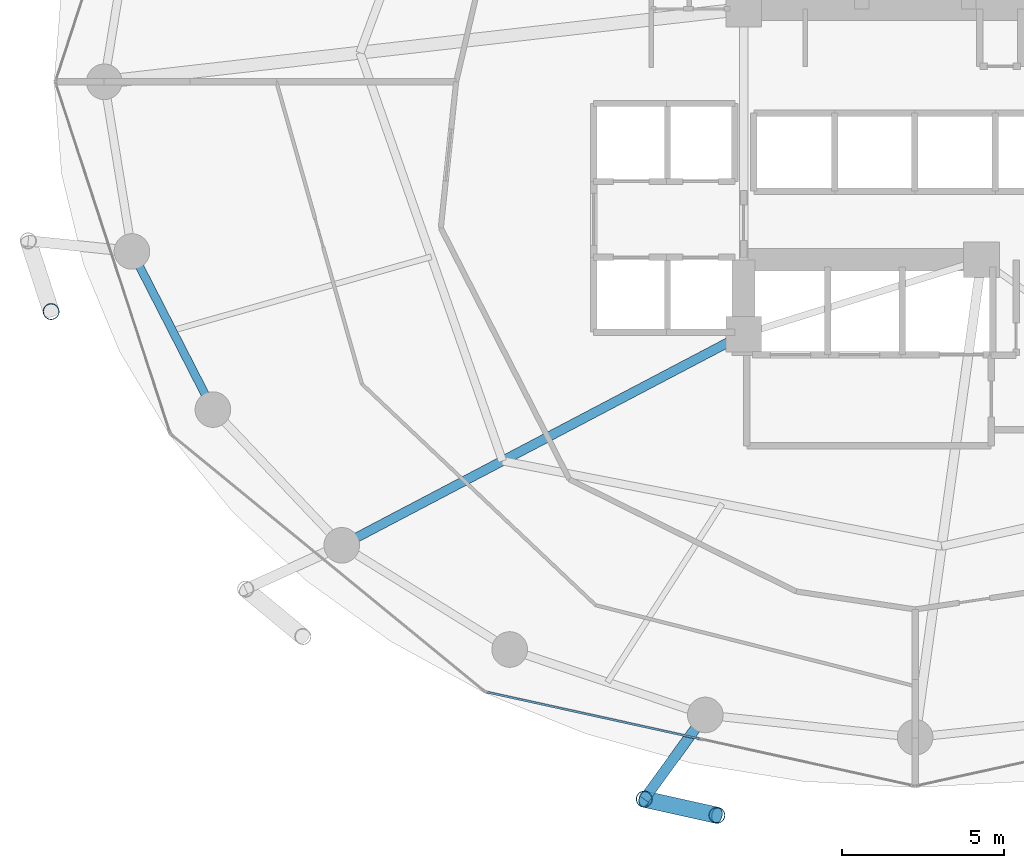
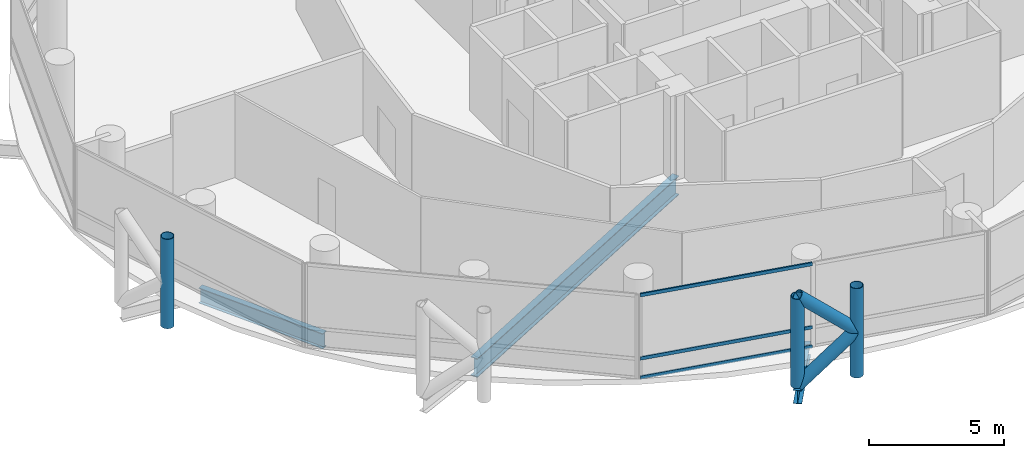
# One storey, part 3 of 24: 8 members, 3 beams, 1 element without a shape of its own.
"""IFC4 building model written with IfcOpenShell, lengths in metres."""

import ifcopenshell
import ifcopenshell.guid

model = None  # the IFC model being written
_history = None  # IfcOwnerHistory: only IFC2X3 demands one
_inside = {}  # id of a spatial element -> (the spatial element, [elements in it])
_under = {}  # id of a project, library or spatial element -> (it, [spatial elements below it])
_declared = {}  # id of a project -> (the project, [libraries it declares])
_typed = {}  # id of a type object -> (the type object, [elements of that type])
_made_of = {}  # id of a material, layer set ... -> (it, [elements and type objects made of it])


def new_model(schema):
    """Start an empty IFC model of exactly this schema.

    Asked for "IFC4X3", IfcOpenShell would pick the latest addendum, in which some entities
    have other attributes; the version numbers below select the first issue.
    IFC2X3 requires an IfcOwnerHistory on every rooted entity: one is made here for all.
    """
    global model, _history
    if schema == "IFC4X3":
        model = ifcopenshell.file(schema_version=(4, 3, 0, 0))
    else:
        model = ifcopenshell.file(schema=schema)
    _inside.clear()
    _under.clear()
    _declared.clear()
    _typed.clear()
    _made_of.clear()
    _history = None
    if model.schema == "IFC2X3":
        org = make("IfcOrganization", Name="unknown")
        user = make(
            "IfcPersonAndOrganization",
            ThePerson=make("IfcPerson", FamilyName="unknown"),
            TheOrganization=org,
        )
        app = make(
            "IfcApplication",
            ApplicationDeveloper=org,
            Version="unknown",
            ApplicationFullName="unknown",
            ApplicationIdentifier="unknown",
        )
        _history = make(
            "IfcOwnerHistory",
            OwningUser=user,
            OwningApplication=app,
            ChangeAction="ADDED",
            CreationDate=0,
        )
    return model


def make(cls, **values):
    """One entity of the class cls with the attributes given. An attribute that is None is left unset."""
    return model.create_entity(
        cls, **{name: value for name, value in values.items() if value is not None}
    )


def rooted(cls, **values):
    """An entity with a GlobalId (a new one), such as an element, a storey or a relation."""
    return make(cls, GlobalId=ifcopenshell.guid.new(), OwnerHistory=_history, **values)


def si_unit(unit_type, name, prefix=None):
    """IfcSIUnit, for example si_unit("LENGTHUNIT", "METRE", prefix="MILLI")."""
    return make("IfcSIUnit", UnitType=unit_type, Prefix=prefix, Name=name)


def assignment(units):
    """IfcUnitAssignment: the units of a project."""
    return None if units is None else make("IfcUnitAssignment", Units=units)


def point(xyz):
    """IfcCartesianPoint."""
    return None if xyz is None else make("IfcCartesianPoint", Coordinates=xyz)


def direction(xyz):
    """IfcDirection."""
    return None if xyz is None else make("IfcDirection", DirectionRatios=xyz)


def frame(location, z_axis=None, x_axis=None):
    """IfcAxis2Placement3D, a coordinate frame: its origin and axes. An axis left out is left unset."""
    return make(
        "IfcAxis2Placement3D",
        Location=point(location),
        Axis=direction(z_axis),
        RefDirection=direction(x_axis),
    )


def frame_2d(location, x_axis=None):
    """IfcAxis2Placement2D, a coordinate frame in the plane: its origin and x axis."""
    return make(
        "IfcAxis2Placement2D", Location=point(location), RefDirection=direction(x_axis)
    )


def origin():
    """The frame at (0, 0, 0) with its axes left unset."""
    return frame((0.0, 0.0, 0.0))


def origin_2d():
    """The frame at (0, 0) in the plane with its x axis left unset."""
    return frame_2d((0.0, 0.0))


def place(relative_to, where):
    """IfcLocalPlacement: puts the frame where relative to a parent placement (None: the world)."""
    return make(
        "IfcLocalPlacement", PlacementRelTo=relative_to, RelativePlacement=where
    )


def context(
    kind, dimensions, precision=None, world=None, true_north=None, identifier=None
):
    """IfcGeometricRepresentationContext, for example the 3D "Model" context."""
    return make(
        "IfcGeometricRepresentationContext",
        ContextIdentifier=identifier,
        ContextType=kind,
        CoordinateSpaceDimension=dimensions,
        Precision=precision,
        WorldCoordinateSystem=world,
        TrueNorth=true_north,
    )


def subcontext(parent, identifier, kind, view, scale=None):
    """IfcGeometricRepresentationSubContext, for example "Body" below "Model"."""
    return make(
        "IfcGeometricRepresentationSubContext",
        ContextIdentifier=identifier,
        ContextType=kind,
        ParentContext=parent,
        TargetScale=scale,
        TargetView=view,
    )


def project(units=None, contexts=None):
    """IfcProject with its units and contexts."""
    return rooted(
        "IfcProject",
        Name="project",
        RepresentationContexts=contexts,
        UnitsInContext=assignment(units),
    )


def spatial(cls, under=None, at=None, **own):
    """A site, building, storey or space (cls), placed at a placement, below another one or the project."""
    s = rooted(cls, ObjectPlacement=at, **own)
    if under is not None:
        _under.setdefault(under.id(), (under, []))[1].append(s)
    return s


def profile(cls, at=None, kind="AREA", **sizes):
    """A parametric profile (cls). Its sizes go by their IFC names, for example OverallWidth=200.0."""
    return make(cls, ProfileType=kind, Position=at, **sizes)


def hollow_rectangle(**sizes):
    """IfcRectangleHollowProfileDef."""
    return profile("IfcRectangleHollowProfileDef", **sizes)


def hollow_circle(**sizes):
    """IfcCircleHollowProfileDef."""
    return profile("IfcCircleHollowProfileDef", **sizes)


def i_section(**sizes):
    """IfcIShapeProfileDef."""
    return profile("IfcIShapeProfileDef", **sizes)


def extrude(swept, where, along, depth):
    """IfcExtrudedAreaSolid: the profile swept, set in the frame where, extruded along a direction by depth."""
    return make(
        "IfcExtrudedAreaSolid",
        SweptArea=swept,
        Position=where,
        ExtrudedDirection=direction(along),
        Depth=depth,
    )


def shape(context_of_items, identifier, shape_type, items):
    """IfcShapeRepresentation: the items that make up one representation, for example the "Body"."""
    return make(
        "IfcShapeRepresentation",
        ContextOfItems=context_of_items,
        RepresentationIdentifier=identifier,
        RepresentationType=shape_type,
        Items=items,
    )


def material(Name=None, Category=None):
    """IfcMaterial."""
    return make("IfcMaterial", Name=Name, Category=Category)


def layer(
    of_material, thickness, ventilated=None, Name=None, Category=None, Priority=None
):
    """IfcMaterialLayer: one layer of a wall or slab, of a material (None: an air gap)."""
    return make(
        "IfcMaterialLayer",
        Material=of_material,
        LayerThickness=thickness,
        IsVentilated=ventilated,
        Name=Name,
        Category=Category,
        Priority=Priority,
    )


def layer_set(layers, Name=None):
    """IfcMaterialLayerSet."""
    return make("IfcMaterialLayerSet", MaterialLayers=layers, LayerSetName=Name)


def material_profile(
    of_material, cross_section, Name=None, Category=None, Priority=None
):
    """IfcMaterialProfile: a cross section and its material."""
    return make(
        "IfcMaterialProfile",
        Name=Name,
        Material=of_material,
        Profile=cross_section,
        Priority=Priority,
        Category=Category,
    )


def profile_set(profiles, Name=None, composite=None):
    """IfcMaterialProfileSet."""
    return make(
        "IfcMaterialProfileSet",
        Name=Name,
        MaterialProfiles=profiles,
        CompositeProfile=composite,
    )


def made_of(thing, what):
    """Note that an element or type object is made of a material, layer set ...; save() writes the relation."""
    if what is not None:
        _made_of.setdefault(what.id(), (what, []))[1].append(thing)
    return thing


def type_object(cls, material=None, **own):
    """A type object (cls), such as IfcWallType, which elements share."""
    return made_of(rooted(cls, **own), material)


def element(
    cls,
    number,
    at=None,
    inside=None,
    cuts=None,
    type_object=None,
    material=None,
    context=None,
    identifier="Body",
    shape_type=None,
    held_by="IfcProductDefinitionShape",
    body=None,
    shapes=None,
    **own,
):
    """One element of the class cls, such as IfcWall. Its Tag is "e" and its number.

    at: its placement. inside: the storey or other place that contains it. cuts: it is an
    opening in that element (IfcRelVoidsElement). A single representation is given by context,
    identifier, shape_type and body (its items); several are given by shapes. held_by: the class
    of the entity that holds the representations. save() writes the other relations.
    """
    e = rooted(cls, Tag="e%d" % number, ObjectPlacement=at, **own)
    if body is not None:
        shapes = [shape(context, identifier, shape_type, body)]
    if shapes is not None:
        e.Representation = make(held_by, Representations=shapes)
    if inside is not None:
        _inside.setdefault(inside.id(), (inside, []))[1].append(e)
    if cuts is not None:
        rooted(
            "IfcRelVoidsElement", RelatingBuildingElement=cuts, RelatedOpeningElement=e
        )
    if type_object is not None:
        _typed.setdefault(type_object.id(), (type_object, []))[1].append(e)
    return made_of(e, material)


def aggregate(whole, parts):
    """IfcRelAggregates: a whole, such as a stair, and the parts it consists of."""
    return rooted("IfcRelAggregates", RelatingObject=whole, RelatedObjects=parts)


def save(model, path):
    """Write the relations noted so far, then the file.

    IfcRelAggregates (storeys below a building ...), IfcRelContainedInSpatialStructure (elements
    in a storey), IfcRelDefinesByType, IfcRelAssociatesMaterial and IfcRelDeclares: one each for
    every whole, place, type object, material and project.
    """
    for whole, parts in _under.values():
        aggregate(whole, parts)
    for where, things in _inside.values():
        rooted(
            "IfcRelContainedInSpatialStructure",
            RelatedElements=things,
            RelatingStructure=where,
        )
    for kind, things in _typed.values():
        rooted("IfcRelDefinesByType", RelatedObjects=things, RelatingType=kind)
    for what, things in _made_of.values():
        rooted("IfcRelAssociatesMaterial", RelatedObjects=things, RelatingMaterial=what)
    for by, libraries in _declared.values():
        rooted("IfcRelDeclares", RelatingContext=by, RelatedDefinitions=libraries)
    model.write(path)


model = new_model("IFC4")

# Units and contexts
model_context = context("Model", 3, precision=1e-05, world=origin(), true_north=direction((0.0, 1.0)))
body_context = subcontext(model_context, "Body", "Model", "MODEL_VIEW")
ifc_project = project(units=[si_unit("LENGTHUNIT", "METRE"), si_unit("AREAUNIT", "SQUARE_METRE"), si_unit("VOLUMEUNIT", "CUBIC_METRE"), si_unit("PLANEANGLEUNIT", "RADIAN"), si_unit("MASSUNIT", "GRAM", prefix="KILO")], contexts=[model_context])

# Site, building, storey
site_placement = place(None, origin())
site = spatial("IfcSite", under=ifc_project, at=site_placement, CompositionType="ELEMENT")
building_placement = place(site_placement, origin())
building = spatial("IfcBuilding", under=site, at=building_placement, Name="Nuhasar Tower", CompositionType="ELEMENT")
storey_placement = place(building_placement, frame((0.0, 0.0, 69.60009765625)))
storey = spatial("IfcBuildingStorey", under=building, at=storey_placement, Name="L16", CompositionType="ELEMENT", Elevation=69.60009765625)

# Beams
ifc_material_1 = material(Name="Steel S355", Category="steel")
ifc_material_profile_1 = material_profile(ifc_material_1, i_section(OverallWidth=0.2919921875, OverallDepth=0.85888671875, WebThickness=0.01708984375, FlangeThickness=0.031005859375, at=origin_2d()), Name="W33X169")
ifc_profile_set_1 = profile_set([ifc_material_profile_1], Name="Steel S355")
beam_type_1 = type_object("IfcBeamType", Name="BM-POD-W33X169", PredefinedType="BEAM", material=ifc_profile_set_1)
beam_1_placement = place(storey_placement, frame((33.699951171875, 19.0, -0.68017578125), z_axis=(-0.885330348705, -0.464962550816, 0.0), x_axis=(0.464962550816, -0.885330348705, 0.0)))
element("IfcBeam", 1, at=beam_1_placement, inside=storey, type_object=beam_type_1, Name="L16 Radial Floor Girder 01", PredefinedType="BEAM", context=body_context, shape_type="SweptSolid", body=[
    extrude(i_section(OverallWidth=0.2919921875, OverallDepth=0.85888671875, WebThickness=0.01708984375, FlangeThickness=0.031005859375, at=origin_2d()), origin(), (0.0, 0.0, 1.0), 14.0205078125),
])
ifc_material_profile_2 = material_profile(ifc_material_1, i_section(OverallWidth=0.256103515625, OverallDepth=0.693115234375, WebThickness=0.014404296875, FlangeThickness=0.023681640625, at=origin_2d()), Name="W27X114")
ifc_profile_set_2 = profile_set([ifc_material_profile_2], Name="Steel S355")
beam_type_2 = type_object("IfcBeamType", Name="BM-RING-W27X114", PredefinedType="SPANDREL", material=ifc_profile_set_2)
beam_2_placement = place(storey_placement, frame((14.803955078125, 21.55908203125, -0.59716796875), z_axis=(0.455930023905, -0.890015625314, 0.0), x_axis=(0.890015625314, 0.455930023905, 0.0)))
element("IfcBeam", 2, at=beam_2_placement, inside=storey, type_object=beam_type_2, Name="L16 Perimeter Ring Spandrel 14", PredefinedType="SPANDREL", context=body_context, shape_type="SweptSolid", body=[
    extrude(i_section(OverallWidth=0.256103515625, OverallDepth=0.693115234375, WebThickness=0.014404296875, FlangeThickness=0.023681640625, at=origin_2d()), origin(), (0.0, 0.0, 1.0), 5.487548828125),
])
ifc_material_profile_3 = material_profile(ifc_material_1, i_section(OverallWidth=0.323974609375, OverallDepth=0.611083984375, WebThickness=0.0126953125, FlangeThickness=0.01904296875, at=origin_2d()), Name="W24X104")
ifc_profile_set_3 = profile_set([ifc_material_profile_3], Name="Steel S355")
beam_type_3 = type_object("IfcBeamType", Name="BM-TIE-W24X104", PredefinedType="BEAM", material=ifc_profile_set_3)
beam_3_placement = place(storey_placement, frame((32.51708984375, 7.239990234375, -0.55615234375), z_axis=(-0.587403316448, -0.809294349311, 0.0), x_axis=(0.809294349311, -0.587403316448, 0.0)))
element("IfcBeam", 3, at=beam_3_placement, inside=storey, type_object=beam_type_3, Name="L16 Exoskeleton Node Tie Beam 09", PredefinedType="BEAM", context=body_context, shape_type="SweptSolid", body=[
    extrude(i_section(OverallWidth=0.323974609375, OverallDepth=0.611083984375, WebThickness=0.0126953125, FlangeThickness=0.01904296875, at=origin_2d()), origin(), (0.0, 0.0, 1.0), 3.212890625),
])

# Curtain wall, members
ifc_material_2 = material(Name="Aluminium 6063-T6", Category="aluminium")
ifc_layer = layer(ifc_material_2, 0.199951171875)
ifc_layer_set = layer_set([ifc_layer], Name="Aluminium 6063-T6")
curtain_wall_type = type_object("IfcCurtainWallType", Name="CW-Z1-OFF", PredefinedType="NOTDEFINED", material=ifc_layer_set)
curtain_wall_placement = place(storey_placement, origin())
curtain_wall = element("IfcCurtainWall", 4, at=curtain_wall_placement, inside=storey, type_object=curtain_wall_type, Name="L16 Unitised Curtain Wall 09", PredefinedType="NOTDEFINED")
ifc_material_profile_4 = material_profile(ifc_material_2, hollow_rectangle(XDim=0.06494140625, YDim=0.14990234375, WallThickness=0.00439453125, at=origin_2d()), Name="CWT-2")
ifc_profile_set_4 = profile_set([ifc_material_profile_4], Name="Aluminium 6063-T6")
member_type_1 = type_object("IfcMemberType", Name="CW-TRN-S2", PredefinedType="USERDEFINED", material=ifc_profile_set_4)
member_1_placement = place(storey_placement, frame((25.783447265625, 7.941162109375, 0.032470703125), z_axis=(0.976741923778, -0.214418316228, 0.0), x_axis=(0.214418316228, 0.976741923778, 0.0)))
member_1 = element("IfcMember", 5, at=member_1_placement, type_object=member_type_1, Name="CW-Z1 transom 1.1", ObjectType="TRANSOM", PredefinedType="USERDEFINED", context=body_context, shape_type="SweptSolid", body=[
    extrude(hollow_rectangle(XDim=0.06494140625, YDim=0.14990234375, WallThickness=0.00439453125, at=origin_2d()), origin(), (0.0, 0.0, 1.0), 6.70068359375),
])
member_2_placement = place(storey_placement, frame((25.783447265625, 7.941162109375, 0.89990234375), z_axis=(0.976741923778, -0.214418316228, 0.0), x_axis=(0.214418316228, 0.976741923778, 0.0)))
member_2 = element("IfcMember", 6, at=member_2_placement, type_object=member_type_1, Name="CW-Z1 transom 1.2", ObjectType="TRANSOM", PredefinedType="USERDEFINED", context=body_context, shape_type="SweptSolid", body=[
    extrude(hollow_rectangle(XDim=0.06494140625, YDim=0.14990234375, WallThickness=0.00439453125, at=origin_2d()), origin(), (0.0, 0.0, 1.0), 6.70068359375),
])
member_3_placement = place(storey_placement, frame((25.783447265625, 7.941162109375, 3.767333984375), z_axis=(0.976741923778, -0.214418316228, 0.0), x_axis=(0.214418316228, 0.976741923778, 0.0)))
member_3 = element("IfcMember", 7, at=member_3_placement, type_object=member_type_1, Name="CW-Z1 transom 1.3", ObjectType="TRANSOM", PredefinedType="USERDEFINED", context=body_context, shape_type="SweptSolid", body=[
    extrude(hollow_rectangle(XDim=0.06494140625, YDim=0.14990234375, WallThickness=0.00439453125, at=origin_2d()), origin(), (0.0, 0.0, 1.0), 6.70068359375),
])
aggregate(curtain_wall, [member_1, member_2, member_3])

# Members
ifc_material_3 = material(Name="Steel S460", Category="steel")
ifc_material_profile_5 = material_profile(ifc_material_3, hollow_circle(Radius=0.25390625, WallThickness=0.025390625, at=origin_2d()), Name="HSS508X25.4")
ifc_profile_set_5 = profile_set([ifc_material_profile_5], Name="Steel S460")
member_type_2 = type_object("IfcMemberType", Name="EXO-BRONZE-508", PredefinedType="BRACE", material=ifc_profile_set_5)
for number, where, z_axis, x_axis, name in (
    (8, (12.30810546875, 19.700927734375, 0.0), (0.0, 0.0, 1.0), (1.0, 0.0, 0.0), "L16 Exoskeleton Chord Column EC-07B"),
    (9, (30.6298828125, 4.639892578125, 0.0), (0.0, 0.0, 1.0), (1.0, 0.0, 0.0), "L16 Exoskeleton Chord Column EC-09A"),
    (10, (32.8759765625, 4.14111328125, 0.0), (0.0, 0.0, 1.0), (1.0, 0.0, 0.0), "L16 Exoskeleton Chord Column EC-09B"),
):
    element("IfcMember", number, at=place(storey_placement, frame(where, z_axis=z_axis, x_axis=x_axis)), inside=storey, type_object=member_type_2, Name=name, PredefinedType="BRACE", context=body_context, shape_type="SweptSolid", body=[
        extrude(hollow_circle(Radius=0.25390625, WallThickness=0.025390625, at=origin_2d()), origin(), (0.0, 0.0, 1.0), 4.0498046875),
    ])
for number, where, z_axis, x_axis, name in (
    (11, (30.6298828125, 4.639892578125, 0.0), (0.732830973624, -0.162736269469, 0.66066305383), (0.216784396973, 0.976219506683, 0.0), "L16 Bronze Diagrid Brace W1-09"),
    (12, (32.8759765625, 4.14111328125, 2.02490234375), (-0.732830973624, 0.162736269469, 0.66066305383), (-0.216784396973, -0.976219506683, 0.0), "L16 Bronze Diagrid Brace W2-09"),
):
    element("IfcMember", number, at=place(storey_placement, frame(where, z_axis=z_axis, x_axis=x_axis)), inside=storey, type_object=member_type_2, Name=name, PredefinedType="BRACE", context=body_context, shape_type="SweptSolid", body=[
        extrude(hollow_circle(Radius=0.25390625, WallThickness=0.025390625, at=origin_2d()), origin(), (0.0, 0.0, 1.0), 3.06494140625),
    ])

save(model, "model.ifc")
